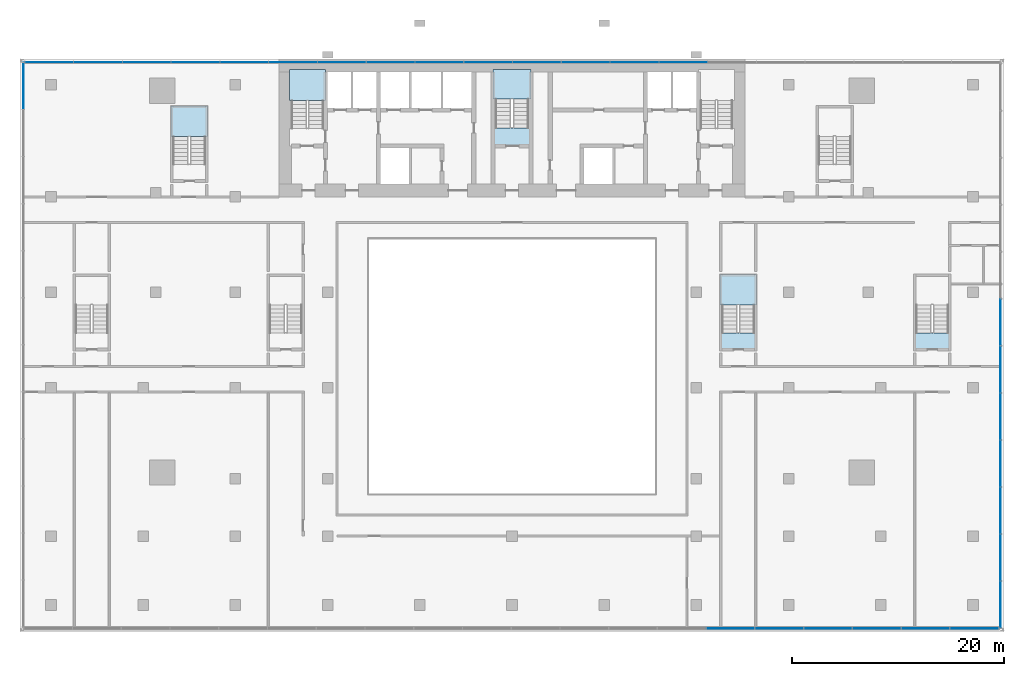
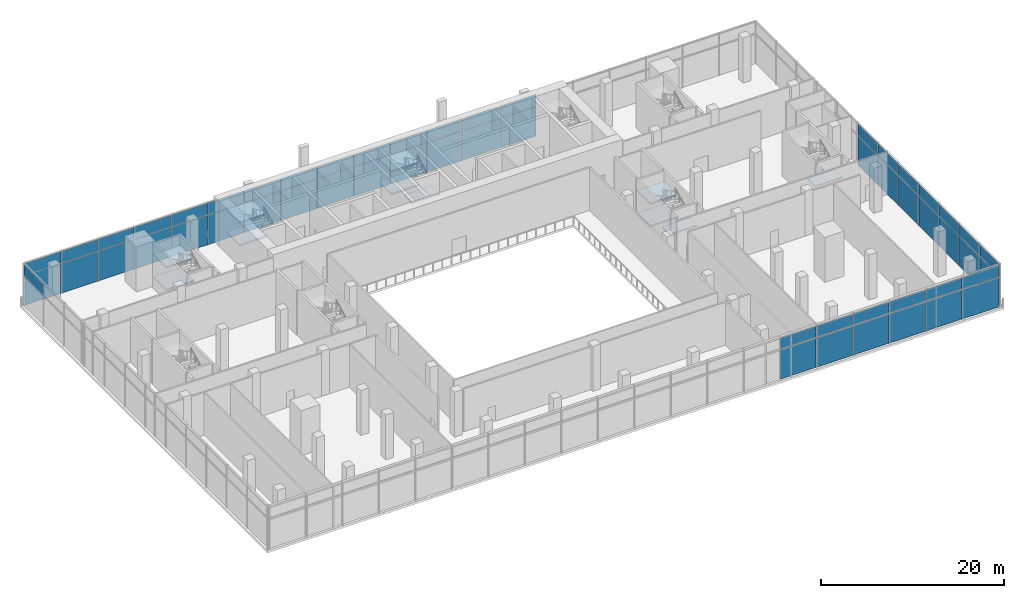
# One storey, part 10 of 22: 55 plates, 11 slabs, 9 elements without a shape of their own.
"""IFC4 building model written with IfcOpenShell, lengths in metres."""

from ifc_helpers import new_model, si_unit, direction, frame, origin, origin_2d, place, context, subcontext, project, spatial, polyline, rectangle, outline, extrude, material, layer, layer_set, type_object, element, aggregate, save


model = new_model("IFC4")

# Units and contexts
model_context = context("Model", 3, precision=1e-05, world=origin(), true_north=direction((0.0, 1.0)))
body_context = subcontext(model_context, "Body", "Model", "MODEL_VIEW")
ifc_project = project(units=[si_unit("LENGTHUNIT", "METRE"), si_unit("AREAUNIT", "SQUARE_METRE"), si_unit("VOLUMEUNIT", "CUBIC_METRE"), si_unit("PLANEANGLEUNIT", "RADIAN"), si_unit("MASSUNIT", "GRAM", prefix="KILO")], contexts=[model_context])

# Site, building, storey
site_placement = place(None, origin())
site = spatial("IfcSite", under=ifc_project, at=site_placement, CompositionType="ELEMENT")
building_placement = place(site_placement, origin())
building = spatial("IfcBuilding", under=site, at=building_placement, Name="Bicima Exchange Tower", CompositionType="ELEMENT")
storey_placement = place(building_placement, frame((0.0, 0.0, 14.0)))
storey = spatial("IfcBuildingStorey", under=building, at=storey_placement, Name="L02", CompositionType="ELEMENT", Elevation=14.0)

# Curtain wall, plates
ifc_material_1 = material(Name="Stainless steel", Category="steel")
curtain_wall_type_1 = type_object("IfcCurtainWallType", Name="Hall structural glazing", PredefinedType="NOTDEFINED", material=ifc_material_1)
curtain_wall_1_placement = place(storey_placement, origin())
curtain_wall_1 = element("IfcCurtainWall", 1, at=curtain_wall_1_placement, inside=storey, type_object=curtain_wall_type_1, Name="Podium glazing L02 south 1", PredefinedType="NOTDEFINED")
ifc_material_2 = material(Name="Clear low-iron glass", Category="glass")
ifc_layer_1 = layer(ifc_material_2, 0.0439453125)
ifc_layer_set_1 = layer_set([ifc_layer_1], Name="Clear low-iron glass")
plate_type_1 = type_object("IfcPlateType", Name="Hall structural glazing glass panel 44", PredefinedType="CURTAIN_PANEL", material=ifc_layer_set_1)
plate_1_placement = place(storey_placement, frame((20.6181640625, -53.699951171875, 0.0), z_axis=(0.0, 0.0, 1.0), x_axis=(1.0, 0.0, 0.0)))
plate_1 = element("IfcPlate", 2, at=plate_1_placement, type_object=plate_type_1, Name="Hall structural glazing panel 15.1", PredefinedType="CURTAIN_PANEL", context=body_context, shape_type="SweptSolid", body=[
    extrude(rectangle(XDim=4.5185546875, YDim=0.0439453125, at=origin_2d()), origin(), (0.0, 0.0, 1.0), 3.89990234375),
])
plate_2_placement = place(storey_placement, frame((20.6181640625, -53.699951171875, 4.0), z_axis=(0.0, 0.0, 1.0), x_axis=(1.0, 0.0, 0.0)))
plate_2 = element("IfcPlate", 3, at=plate_2_placement, type_object=plate_type_1, Name="Hall structural glazing panel 15.2", PredefinedType="CURTAIN_PANEL", context=body_context, shape_type="SweptSolid", body=[
    extrude(rectangle(XDim=4.5185546875, YDim=0.0439453125, at=origin_2d()), origin(), (0.0, 0.0, 1.0), 1.5),
])
plate_3_placement = place(storey_placement, frame((25.216796875, -53.699951171875, 0.0), z_axis=(0.0, 0.0, 1.0), x_axis=(1.0, 0.0, 0.0)))
plate_3 = element("IfcPlate", 4, at=plate_3_placement, type_object=plate_type_1, Name="Hall structural glazing panel 16.1", PredefinedType="CURTAIN_PANEL", context=body_context, shape_type="SweptSolid", body=[
    extrude(rectangle(XDim=4.5185546875, YDim=0.0439453125, at=origin_2d()), origin(), (0.0, 0.0, 1.0), 3.89990234375),
])
plate_4_placement = place(storey_placement, frame((25.216796875, -53.699951171875, 4.0), z_axis=(0.0, 0.0, 1.0), x_axis=(1.0, 0.0, 0.0)))
plate_4 = element("IfcPlate", 5, at=plate_4_placement, type_object=plate_type_1, Name="Hall structural glazing panel 16.2", PredefinedType="CURTAIN_PANEL", context=body_context, shape_type="SweptSolid", body=[
    extrude(rectangle(XDim=4.5185546875, YDim=0.0439453125, at=origin_2d()), origin(), (0.0, 0.0, 1.0), 1.5),
])
plate_5_placement = place(storey_placement, frame((29.815185546875, -53.699951171875, 0.0), z_axis=(0.0, 0.0, 1.0), x_axis=(1.0, 0.0, 0.0)))
plate_5 = element("IfcPlate", 6, at=plate_5_placement, type_object=plate_type_1, Name="Hall structural glazing panel 17.1", PredefinedType="CURTAIN_PANEL", context=body_context, shape_type="SweptSolid", body=[
    extrude(rectangle(XDim=4.5185546875, YDim=0.0439453125, at=origin_2d()), origin(), (0.0, 0.0, 1.0), 3.89990234375),
])
plate_6_placement = place(storey_placement, frame((29.815185546875, -53.699951171875, 4.0), z_axis=(0.0, 0.0, 1.0), x_axis=(1.0, 0.0, 0.0)))
plate_6 = element("IfcPlate", 7, at=plate_6_placement, type_object=plate_type_1, Name="Hall structural glazing panel 17.2", PredefinedType="CURTAIN_PANEL", context=body_context, shape_type="SweptSolid", body=[
    extrude(rectangle(XDim=4.5185546875, YDim=0.0439453125, at=origin_2d()), origin(), (0.0, 0.0, 1.0), 1.5),
])
plate_7_placement = place(storey_placement, frame((34.413818359375, -53.699951171875, 0.0), z_axis=(0.0, 0.0, 1.0), x_axis=(1.0, 0.0, 0.0)))
plate_7 = element("IfcPlate", 8, at=plate_7_placement, type_object=plate_type_1, Name="Hall structural glazing panel 18.1", PredefinedType="CURTAIN_PANEL", context=body_context, shape_type="SweptSolid", body=[
    extrude(rectangle(XDim=4.5185546875, YDim=0.0439453125, at=origin_2d()), origin(), (0.0, 0.0, 1.0), 3.89990234375),
])
plate_8_placement = place(storey_placement, frame((34.413818359375, -53.699951171875, 4.0), z_axis=(0.0, 0.0, 1.0), x_axis=(1.0, 0.0, 0.0)))
plate_8 = element("IfcPlate", 9, at=plate_8_placement, type_object=plate_type_1, Name="Hall structural glazing panel 18.2", PredefinedType="CURTAIN_PANEL", context=body_context, shape_type="SweptSolid", body=[
    extrude(rectangle(XDim=4.5185546875, YDim=0.0439453125, at=origin_2d()), origin(), (0.0, 0.0, 1.0), 1.5),
])
plate_9_placement = place(storey_placement, frame((39.01220703125, -53.699951171875, 0.0), z_axis=(0.0, 0.0, 1.0), x_axis=(1.0, 0.0, 0.0)))
plate_9 = element("IfcPlate", 10, at=plate_9_placement, type_object=plate_type_1, Name="Hall structural glazing panel 19.1", PredefinedType="CURTAIN_PANEL", context=body_context, shape_type="SweptSolid", body=[
    extrude(rectangle(XDim=4.5185546875, YDim=0.0439453125, at=origin_2d()), origin(), (0.0, 0.0, 1.0), 3.89990234375),
])
plate_10_placement = place(storey_placement, frame((39.01220703125, -53.699951171875, 4.0), z_axis=(0.0, 0.0, 1.0), x_axis=(1.0, 0.0, 0.0)))
plate_10 = element("IfcPlate", 11, at=plate_10_placement, type_object=plate_type_1, Name="Hall structural glazing panel 19.2", PredefinedType="CURTAIN_PANEL", context=body_context, shape_type="SweptSolid", body=[
    extrude(rectangle(XDim=4.5185546875, YDim=0.0439453125, at=origin_2d()), origin(), (0.0, 0.0, 1.0), 1.5),
])
plate_11_placement = place(storey_placement, frame((43.610595703125, -53.699951171875, 0.0), z_axis=(0.0, 0.0, 1.0), x_axis=(1.0, 0.0, 0.0)))
plate_11 = element("IfcPlate", 12, at=plate_11_placement, type_object=plate_type_1, Name="Hall structural glazing panel 20.1", PredefinedType="CURTAIN_PANEL", context=body_context, shape_type="SweptSolid", body=[
    extrude(rectangle(XDim=4.5185546875, YDim=0.0439453125, at=origin_2d()), origin(), (0.0, 0.0, 1.0), 3.89990234375),
])
plate_12_placement = place(storey_placement, frame((43.610595703125, -53.699951171875, 4.0), z_axis=(0.0, 0.0, 1.0), x_axis=(1.0, 0.0, 0.0)))
plate_12 = element("IfcPlate", 13, at=plate_12_placement, type_object=plate_type_1, Name="Hall structural glazing panel 20.2", PredefinedType="CURTAIN_PANEL", context=body_context, shape_type="SweptSolid", body=[
    extrude(rectangle(XDim=4.5185546875, YDim=0.0439453125, at=origin_2d()), origin(), (0.0, 0.0, 1.0), 1.5),
])
aggregate(curtain_wall_1, [plate_1, plate_2, plate_3, plate_4, plate_5, plate_6, plate_7, plate_8, plate_9, plate_10, plate_11, plate_12])

ifc_material_3 = material(Name="Anodised bronze aluminium", Category="aluminium")
curtain_wall_type_2 = type_object("IfcCurtainWallType", Name="Lobby glazing", PredefinedType="NOTDEFINED", material=ifc_material_3)
curtain_wall_2_placement = place(storey_placement, origin())
curtain_wall_2 = element("IfcCurtainWall", 14, at=curtain_wall_2_placement, inside=storey, type_object=curtain_wall_type_2, Name="Podium glazing L02 east 1", PredefinedType="NOTDEFINED")
ifc_layer_2 = layer(ifc_material_2, 0.035888671875)
ifc_layer_set_2 = layer_set([ifc_layer_2], Name="Clear low-iron glass")
plate_type_2 = type_object("IfcPlateType", Name="Lobby glazing glass panel 36", PredefinedType="CURTAIN_PANEL", material=ifc_layer_set_2)
plate_13_placement = place(storey_placement, frame((46.10009765625, -51.45166015625, 0.0), z_axis=(0.0, 0.0, 1.0), x_axis=(0.0, 1.0, 0.0)))
plate_13 = element("IfcPlate", 15, at=plate_13_placement, type_object=plate_type_2, Name="Lobby glazing panel 1.1", PredefinedType="CURTAIN_PANEL", context=body_context, shape_type="SweptSolid", body=[
    extrude(rectangle(XDim=4.376708984375, YDim=0.035888671875, at=origin_2d()), origin(), (0.0, 0.0, 1.0), 3.929931640625),
])
plate_14_placement = place(storey_placement, frame((46.10009765625, -51.45166015625, 4.0), z_axis=(0.0, 0.0, 1.0), x_axis=(0.0, 1.0, 0.0)))
plate_14 = element("IfcPlate", 16, at=plate_14_placement, type_object=plate_type_2, Name="Lobby glazing panel 1.2", PredefinedType="CURTAIN_PANEL", context=body_context, shape_type="SweptSolid", body=[
    extrude(rectangle(XDim=4.376708984375, YDim=0.035888671875, at=origin_2d()), origin(), (0.0, 0.0, 1.0), 1.56005859375),
])
plate_15_placement = place(storey_placement, frame((46.10009765625, -47.014892578125, 0.0), z_axis=(0.0, 0.0, 1.0), x_axis=(0.0, 1.0, 0.0)))
plate_15 = element("IfcPlate", 17, at=plate_15_placement, type_object=plate_type_2, Name="Lobby glazing panel 2.1", PredefinedType="CURTAIN_PANEL", context=body_context, shape_type="SweptSolid", body=[
    extrude(rectangle(XDim=4.376708984375, YDim=0.035888671875, at=origin_2d()), origin(), (0.0, 0.0, 1.0), 3.929931640625),
])
plate_16_placement = place(storey_placement, frame((46.10009765625, -47.014892578125, 4.0), z_axis=(0.0, 0.0, 1.0), x_axis=(0.0, 1.0, 0.0)))
plate_16 = element("IfcPlate", 18, at=plate_16_placement, type_object=plate_type_2, Name="Lobby glazing panel 2.2", PredefinedType="CURTAIN_PANEL", context=body_context, shape_type="SweptSolid", body=[
    extrude(rectangle(XDim=4.376708984375, YDim=0.035888671875, at=origin_2d()), origin(), (0.0, 0.0, 1.0), 1.56005859375),
])
plate_17_placement = place(storey_placement, frame((46.10009765625, -42.578369140625, 0.0), z_axis=(0.0, 0.0, 1.0), x_axis=(0.0, 1.0, 0.0)))
plate_17 = element("IfcPlate", 19, at=plate_17_placement, type_object=plate_type_2, Name="Lobby glazing panel 3.1", PredefinedType="CURTAIN_PANEL", context=body_context, shape_type="SweptSolid", body=[
    extrude(rectangle(XDim=4.376708984375, YDim=0.035888671875, at=origin_2d()), origin(), (0.0, 0.0, 1.0), 3.929931640625),
])
plate_18_placement = place(storey_placement, frame((46.10009765625, -42.578369140625, 4.0), z_axis=(0.0, 0.0, 1.0), x_axis=(0.0, 1.0, 0.0)))
plate_18 = element("IfcPlate", 20, at=plate_18_placement, type_object=plate_type_2, Name="Lobby glazing panel 3.2", PredefinedType="CURTAIN_PANEL", context=body_context, shape_type="SweptSolid", body=[
    extrude(rectangle(XDim=4.376708984375, YDim=0.035888671875, at=origin_2d()), origin(), (0.0, 0.0, 1.0), 1.56005859375),
])
plate_19_placement = place(storey_placement, frame((46.10009765625, -38.1416015625, 0.0), z_axis=(0.0, 0.0, 1.0), x_axis=(0.0, 1.0, 0.0)))
plate_19 = element("IfcPlate", 21, at=plate_19_placement, type_object=plate_type_2, Name="Lobby glazing panel 4.1", PredefinedType="CURTAIN_PANEL", context=body_context, shape_type="SweptSolid", body=[
    extrude(rectangle(XDim=4.376708984375, YDim=0.035888671875, at=origin_2d()), origin(), (0.0, 0.0, 1.0), 3.929931640625),
])
plate_20_placement = place(storey_placement, frame((46.10009765625, -38.1416015625, 4.0), z_axis=(0.0, 0.0, 1.0), x_axis=(0.0, 1.0, 0.0)))
plate_20 = element("IfcPlate", 22, at=plate_20_placement, type_object=plate_type_2, Name="Lobby glazing panel 4.2", PredefinedType="CURTAIN_PANEL", context=body_context, shape_type="SweptSolid", body=[
    extrude(rectangle(XDim=4.376708984375, YDim=0.035888671875, at=origin_2d()), origin(), (0.0, 0.0, 1.0), 1.56005859375),
])
plate_21_placement = place(storey_placement, frame((46.10009765625, -33.705078125, 0.0), z_axis=(0.0, 0.0, 1.0), x_axis=(0.0, 1.0, 0.0)))
plate_21 = element("IfcPlate", 23, at=plate_21_placement, type_object=plate_type_2, Name="Lobby glazing panel 5.1", PredefinedType="CURTAIN_PANEL", context=body_context, shape_type="SweptSolid", body=[
    extrude(rectangle(XDim=4.376708984375, YDim=0.035888671875, at=origin_2d()), origin(), (0.0, 0.0, 1.0), 3.929931640625),
])
plate_22_placement = place(storey_placement, frame((46.10009765625, -33.705078125, 4.0), z_axis=(0.0, 0.0, 1.0), x_axis=(0.0, 1.0, 0.0)))
plate_22 = element("IfcPlate", 24, at=plate_22_placement, type_object=plate_type_2, Name="Lobby glazing panel 5.2", PredefinedType="CURTAIN_PANEL", context=body_context, shape_type="SweptSolid", body=[
    extrude(rectangle(XDim=4.376708984375, YDim=0.035888671875, at=origin_2d()), origin(), (0.0, 0.0, 1.0), 1.56005859375),
])
plate_23_placement = place(storey_placement, frame((46.10009765625, -29.268310546875, 0.0), z_axis=(0.0, 0.0, 1.0), x_axis=(0.0, 1.0, 0.0)))
plate_23 = element("IfcPlate", 25, at=plate_23_placement, type_object=plate_type_2, Name="Lobby glazing panel 6.1", PredefinedType="CURTAIN_PANEL", context=body_context, shape_type="SweptSolid", body=[
    extrude(rectangle(XDim=4.376708984375, YDim=0.035888671875, at=origin_2d()), origin(), (0.0, 0.0, 1.0), 3.929931640625),
])
plate_24_placement = place(storey_placement, frame((46.10009765625, -29.268310546875, 4.0), z_axis=(0.0, 0.0, 1.0), x_axis=(0.0, 1.0, 0.0)))
plate_24 = element("IfcPlate", 26, at=plate_24_placement, type_object=plate_type_2, Name="Lobby glazing panel 6.2", PredefinedType="CURTAIN_PANEL", context=body_context, shape_type="SweptSolid", body=[
    extrude(rectangle(XDim=4.376708984375, YDim=0.035888671875, at=origin_2d()), origin(), (0.0, 0.0, 1.0), 1.56005859375),
])
plate_25_placement = place(storey_placement, frame((46.10009765625, -24.831787109375, 0.0), z_axis=(0.0, 0.0, 1.0), x_axis=(0.0, 1.0, 0.0)))
plate_25 = element("IfcPlate", 27, at=plate_25_placement, type_object=plate_type_2, Name="Lobby glazing panel 7.1", PredefinedType="CURTAIN_PANEL", context=body_context, shape_type="SweptSolid", body=[
    extrude(rectangle(XDim=4.376708984375, YDim=0.035888671875, at=origin_2d()), origin(), (0.0, 0.0, 1.0), 3.929931640625),
])
plate_26_placement = place(storey_placement, frame((46.10009765625, -24.831787109375, 4.0), z_axis=(0.0, 0.0, 1.0), x_axis=(0.0, 1.0, 0.0)))
plate_26 = element("IfcPlate", 28, at=plate_26_placement, type_object=plate_type_2, Name="Lobby glazing panel 7.2", PredefinedType="CURTAIN_PANEL", context=body_context, shape_type="SweptSolid", body=[
    extrude(rectangle(XDim=4.376708984375, YDim=0.035888671875, at=origin_2d()), origin(), (0.0, 0.0, 1.0), 1.56005859375),
])
aggregate(curtain_wall_2, [plate_13, plate_14, plate_15, plate_16, plate_17, plate_18, plate_19, plate_20, plate_21, plate_22, plate_23, plate_24, plate_25, plate_26])

curtain_wall_3_placement = place(storey_placement, origin())
curtain_wall_3 = element("IfcCurtainWall", 29, at=curtain_wall_3_placement, inside=storey, type_object=curtain_wall_type_2, Name="Podium glazing L02 north 1", PredefinedType="NOTDEFINED")
plate_27_placement = place(storey_placement, frame((16.156982421875, -0.300048828125, 0.0), z_axis=(0.0, 0.0, 1.0), x_axis=(-1.0, 0.0, 0.0)))
plate_27 = element("IfcPlate", 30, at=plate_27_placement, type_object=plate_type_2, Name="Lobby glazing panel 7.1", PredefinedType="CURTAIN_PANEL", context=body_context, shape_type="SweptSolid", body=[
    extrude(rectangle(XDim=4.5419921875, YDim=0.035888671875, at=origin_2d()), origin(), (0.0, 0.0, 1.0), 3.929931640625),
])
plate_28_placement = place(storey_placement, frame((16.156982421875, -0.300048828125, 4.0), z_axis=(0.0, 0.0, 1.0), x_axis=(-1.0, 0.0, 0.0)))
plate_28 = element("IfcPlate", 31, at=plate_28_placement, type_object=plate_type_2, Name="Lobby glazing panel 7.2", PredefinedType="CURTAIN_PANEL", context=body_context, shape_type="SweptSolid", body=[
    extrude(rectangle(XDim=4.5419921875, YDim=0.035888671875, at=origin_2d()), origin(), (0.0, 0.0, 1.0), 1.56005859375),
])
plate_29_placement = place(storey_placement, frame((11.554931640625, -0.300048828125, 0.0), z_axis=(0.0, 0.0, 1.0), x_axis=(-1.0, 0.0, 0.0)))
plate_29 = element("IfcPlate", 32, at=plate_29_placement, type_object=plate_type_2, Name="Lobby glazing panel 8.1", PredefinedType="CURTAIN_PANEL", context=body_context, shape_type="SweptSolid", body=[
    extrude(rectangle(XDim=4.5419921875, YDim=0.035888671875, at=origin_2d()), origin(), (0.0, 0.0, 1.0), 3.929931640625),
])
plate_30_placement = place(storey_placement, frame((11.554931640625, -0.300048828125, 4.0), z_axis=(0.0, 0.0, 1.0), x_axis=(-1.0, 0.0, 0.0)))
plate_30 = element("IfcPlate", 33, at=plate_30_placement, type_object=plate_type_2, Name="Lobby glazing panel 8.2", PredefinedType="CURTAIN_PANEL", context=body_context, shape_type="SweptSolid", body=[
    extrude(rectangle(XDim=4.5419921875, YDim=0.035888671875, at=origin_2d()), origin(), (0.0, 0.0, 1.0), 1.56005859375),
])
plate_31_placement = place(storey_placement, frame((6.952880859375, -0.300048828125, 0.0), z_axis=(0.0, 0.0, 1.0), x_axis=(-1.0, 0.0, 0.0)))
plate_31 = element("IfcPlate", 34, at=plate_31_placement, type_object=plate_type_2, Name="Lobby glazing panel 9.1", PredefinedType="CURTAIN_PANEL", context=body_context, shape_type="SweptSolid", body=[
    extrude(rectangle(XDim=4.5419921875, YDim=0.035888671875, at=origin_2d()), origin(), (0.0, 0.0, 1.0), 3.929931640625),
])
plate_32_placement = place(storey_placement, frame((6.952880859375, -0.300048828125, 4.0), z_axis=(0.0, 0.0, 1.0), x_axis=(-1.0, 0.0, 0.0)))
plate_32 = element("IfcPlate", 35, at=plate_32_placement, type_object=plate_type_2, Name="Lobby glazing panel 9.2", PredefinedType="CURTAIN_PANEL", context=body_context, shape_type="SweptSolid", body=[
    extrude(rectangle(XDim=4.5419921875, YDim=0.035888671875, at=origin_2d()), origin(), (0.0, 0.0, 1.0), 1.56005859375),
])
plate_33_placement = place(storey_placement, frame((2.35107421875, -0.300048828125, 0.0), z_axis=(0.0, 0.0, 1.0), x_axis=(-1.0, 0.0, 0.0)))
plate_33 = element("IfcPlate", 36, at=plate_33_placement, type_object=plate_type_2, Name="Lobby glazing panel 10.1", PredefinedType="CURTAIN_PANEL", context=body_context, shape_type="SweptSolid", body=[
    extrude(rectangle(XDim=4.5419921875, YDim=0.035888671875, at=origin_2d()), origin(), (0.0, 0.0, 1.0), 3.929931640625),
])
plate_34_placement = place(storey_placement, frame((2.35107421875, -0.300048828125, 4.0), z_axis=(0.0, 0.0, 1.0), x_axis=(-1.0, 0.0, 0.0)))
plate_34 = element("IfcPlate", 37, at=plate_34_placement, type_object=plate_type_2, Name="Lobby glazing panel 10.2", PredefinedType="CURTAIN_PANEL", context=body_context, shape_type="SweptSolid", body=[
    extrude(rectangle(XDim=4.5419921875, YDim=0.035888671875, at=origin_2d()), origin(), (0.0, 0.0, 1.0), 1.56005859375),
])
plate_35_placement = place(storey_placement, frame((-2.2509765625, -0.300048828125, 0.0), z_axis=(0.0, 0.0, 1.0), x_axis=(-1.0, 0.0, 0.0)))
plate_35 = element("IfcPlate", 38, at=plate_35_placement, type_object=plate_type_2, Name="Lobby glazing panel 11.1", PredefinedType="CURTAIN_PANEL", context=body_context, shape_type="SweptSolid", body=[
    extrude(rectangle(XDim=4.5419921875, YDim=0.035888671875, at=origin_2d()), origin(), (0.0, 0.0, 1.0), 3.929931640625),
])
plate_36_placement = place(storey_placement, frame((-2.2509765625, -0.300048828125, 4.0), z_axis=(0.0, 0.0, 1.0), x_axis=(-1.0, 0.0, 0.0)))
plate_36 = element("IfcPlate", 39, at=plate_36_placement, type_object=plate_type_2, Name="Lobby glazing panel 11.2", PredefinedType="CURTAIN_PANEL", context=body_context, shape_type="SweptSolid", body=[
    extrude(rectangle(XDim=4.5419921875, YDim=0.035888671875, at=origin_2d()), origin(), (0.0, 0.0, 1.0), 1.56005859375),
])
plate_37_placement = place(storey_placement, frame((-6.85302734375, -0.300048828125, 0.0), z_axis=(0.0, 0.0, 1.0), x_axis=(-1.0, 0.0, 0.0)))
plate_37 = element("IfcPlate", 40, at=plate_37_placement, type_object=plate_type_2, Name="Lobby glazing panel 12.1", PredefinedType="CURTAIN_PANEL", context=body_context, shape_type="SweptSolid", body=[
    extrude(rectangle(XDim=4.5419921875, YDim=0.035888671875, at=origin_2d()), origin(), (0.0, 0.0, 1.0), 3.929931640625),
])
plate_38_placement = place(storey_placement, frame((-6.85302734375, -0.300048828125, 4.0), z_axis=(0.0, 0.0, 1.0), x_axis=(-1.0, 0.0, 0.0)))
plate_38 = element("IfcPlate", 41, at=plate_38_placement, type_object=plate_type_2, Name="Lobby glazing panel 12.2", PredefinedType="CURTAIN_PANEL", context=body_context, shape_type="SweptSolid", body=[
    extrude(rectangle(XDim=4.5419921875, YDim=0.035888671875, at=origin_2d()), origin(), (0.0, 0.0, 1.0), 1.56005859375),
])
plate_39_placement = place(storey_placement, frame((-11.455078125, -0.300048828125, 0.0), z_axis=(0.0, 0.0, 1.0), x_axis=(-1.0, 0.0, 0.0)))
plate_39 = element("IfcPlate", 42, at=plate_39_placement, type_object=plate_type_2, Name="Lobby glazing panel 13.1", PredefinedType="CURTAIN_PANEL", context=body_context, shape_type="SweptSolid", body=[
    extrude(rectangle(XDim=4.5419921875, YDim=0.035888671875, at=origin_2d()), origin(), (0.0, 0.0, 1.0), 3.929931640625),
])
plate_40_placement = place(storey_placement, frame((-11.455078125, -0.300048828125, 4.0), z_axis=(0.0, 0.0, 1.0), x_axis=(-1.0, 0.0, 0.0)))
plate_40 = element("IfcPlate", 43, at=plate_40_placement, type_object=plate_type_2, Name="Lobby glazing panel 13.2", PredefinedType="CURTAIN_PANEL", context=body_context, shape_type="SweptSolid", body=[
    extrude(rectangle(XDim=4.5419921875, YDim=0.035888671875, at=origin_2d()), origin(), (0.0, 0.0, 1.0), 1.56005859375),
])
plate_41_placement = place(storey_placement, frame((-16.056884765625, -0.300048828125, 0.0), z_axis=(0.0, 0.0, 1.0), x_axis=(-1.0, 0.0, 0.0)))
plate_41 = element("IfcPlate", 44, at=plate_41_placement, type_object=plate_type_2, Name="Lobby glazing panel 14.1", PredefinedType="CURTAIN_PANEL", context=body_context, shape_type="SweptSolid", body=[
    extrude(rectangle(XDim=4.5419921875, YDim=0.035888671875, at=origin_2d()), origin(), (0.0, 0.0, 1.0), 3.929931640625),
])
plate_42_placement = place(storey_placement, frame((-16.056884765625, -0.300048828125, 4.0), z_axis=(0.0, 0.0, 1.0), x_axis=(-1.0, 0.0, 0.0)))
plate_42 = element("IfcPlate", 45, at=plate_42_placement, type_object=plate_type_2, Name="Lobby glazing panel 14.2", PredefinedType="CURTAIN_PANEL", context=body_context, shape_type="SweptSolid", body=[
    extrude(rectangle(XDim=4.5419921875, YDim=0.035888671875, at=origin_2d()), origin(), (0.0, 0.0, 1.0), 1.56005859375),
])
plate_43_placement = place(storey_placement, frame((-20.658935546875, -0.300048828125, 0.0), z_axis=(0.0, 0.0, 1.0), x_axis=(-1.0, 0.0, 0.0)))
plate_43 = element("IfcPlate", 46, at=plate_43_placement, type_object=plate_type_2, Name="Lobby glazing panel 15.1", PredefinedType="CURTAIN_PANEL", context=body_context, shape_type="SweptSolid", body=[
    extrude(rectangle(XDim=4.5419921875, YDim=0.035888671875, at=origin_2d()), origin(), (0.0, 0.0, 1.0), 3.929931640625),
])
plate_44_placement = place(storey_placement, frame((-20.658935546875, -0.300048828125, 4.0), z_axis=(0.0, 0.0, 1.0), x_axis=(-1.0, 0.0, 0.0)))
plate_44 = element("IfcPlate", 47, at=plate_44_placement, type_object=plate_type_2, Name="Lobby glazing panel 15.2", PredefinedType="CURTAIN_PANEL", context=body_context, shape_type="SweptSolid", body=[
    extrude(rectangle(XDim=4.5419921875, YDim=0.035888671875, at=origin_2d()), origin(), (0.0, 0.0, 1.0), 1.56005859375),
])
plate_45_placement = place(storey_placement, frame((-25.260986328125, -0.300048828125, 0.0), z_axis=(0.0, 0.0, 1.0), x_axis=(-1.0, 0.0, 0.0)))
plate_45 = element("IfcPlate", 48, at=plate_45_placement, type_object=plate_type_2, Name="Lobby glazing panel 16.1", PredefinedType="CURTAIN_PANEL", context=body_context, shape_type="SweptSolid", body=[
    extrude(rectangle(XDim=4.5419921875, YDim=0.035888671875, at=origin_2d()), origin(), (0.0, 0.0, 1.0), 3.929931640625),
])
plate_46_placement = place(storey_placement, frame((-25.260986328125, -0.300048828125, 4.0), z_axis=(0.0, 0.0, 1.0), x_axis=(-1.0, 0.0, 0.0)))
plate_46 = element("IfcPlate", 49, at=plate_46_placement, type_object=plate_type_2, Name="Lobby glazing panel 16.2", PredefinedType="CURTAIN_PANEL", context=body_context, shape_type="SweptSolid", body=[
    extrude(rectangle(XDim=4.5419921875, YDim=0.035888671875, at=origin_2d()), origin(), (0.0, 0.0, 1.0), 1.56005859375),
])
plate_47_placement = place(storey_placement, frame((-29.863037109375, -0.300048828125, 0.0), z_axis=(0.0, 0.0, 1.0), x_axis=(-1.0, 0.0, 0.0)))
plate_47 = element("IfcPlate", 50, at=plate_47_placement, type_object=plate_type_2, Name="Lobby glazing panel 17.1", PredefinedType="CURTAIN_PANEL", context=body_context, shape_type="SweptSolid", body=[
    extrude(rectangle(XDim=4.5419921875, YDim=0.035888671875, at=origin_2d()), origin(), (0.0, 0.0, 1.0), 3.929931640625),
])
plate_48_placement = place(storey_placement, frame((-29.863037109375, -0.300048828125, 4.0), z_axis=(0.0, 0.0, 1.0), x_axis=(-1.0, 0.0, 0.0)))
plate_48 = element("IfcPlate", 51, at=plate_48_placement, type_object=plate_type_2, Name="Lobby glazing panel 17.2", PredefinedType="CURTAIN_PANEL", context=body_context, shape_type="SweptSolid", body=[
    extrude(rectangle(XDim=4.5419921875, YDim=0.035888671875, at=origin_2d()), origin(), (0.0, 0.0, 1.0), 1.56005859375),
])
plate_49_placement = place(storey_placement, frame((-34.465087890625, -0.300048828125, 0.0), z_axis=(0.0, 0.0, 1.0), x_axis=(-1.0, 0.0, 0.0)))
plate_49 = element("IfcPlate", 52, at=plate_49_placement, type_object=plate_type_2, Name="Lobby glazing panel 18.1", PredefinedType="CURTAIN_PANEL", context=body_context, shape_type="SweptSolid", body=[
    extrude(rectangle(XDim=4.5419921875, YDim=0.035888671875, at=origin_2d()), origin(), (0.0, 0.0, 1.0), 3.929931640625),
])
plate_50_placement = place(storey_placement, frame((-34.465087890625, -0.300048828125, 4.0), z_axis=(0.0, 0.0, 1.0), x_axis=(-1.0, 0.0, 0.0)))
plate_50 = element("IfcPlate", 53, at=plate_50_placement, type_object=plate_type_2, Name="Lobby glazing panel 18.2", PredefinedType="CURTAIN_PANEL", context=body_context, shape_type="SweptSolid", body=[
    extrude(rectangle(XDim=4.5419921875, YDim=0.035888671875, at=origin_2d()), origin(), (0.0, 0.0, 1.0), 1.56005859375),
])
plate_51_placement = place(storey_placement, frame((-39.06689453125, -0.300048828125, 0.0), z_axis=(0.0, 0.0, 1.0), x_axis=(-1.0, 0.0, 0.0)))
plate_51 = element("IfcPlate", 54, at=plate_51_placement, type_object=plate_type_2, Name="Lobby glazing panel 19.1", PredefinedType="CURTAIN_PANEL", context=body_context, shape_type="SweptSolid", body=[
    extrude(rectangle(XDim=4.5419921875, YDim=0.035888671875, at=origin_2d()), origin(), (0.0, 0.0, 1.0), 3.929931640625),
])
plate_52_placement = place(storey_placement, frame((-39.06689453125, -0.300048828125, 4.0), z_axis=(0.0, 0.0, 1.0), x_axis=(-1.0, 0.0, 0.0)))
plate_52 = element("IfcPlate", 55, at=plate_52_placement, type_object=plate_type_2, Name="Lobby glazing panel 19.2", PredefinedType="CURTAIN_PANEL", context=body_context, shape_type="SweptSolid", body=[
    extrude(rectangle(XDim=4.5419921875, YDim=0.035888671875, at=origin_2d()), origin(), (0.0, 0.0, 1.0), 1.56005859375),
])
plate_53_placement = place(storey_placement, frame((-43.6689453125, -0.300048828125, 0.0), z_axis=(0.0, 0.0, 1.0), x_axis=(-1.0, 0.0, 0.0)))
plate_53 = element("IfcPlate", 56, at=plate_53_placement, type_object=plate_type_2, Name="Lobby glazing panel 20.1", PredefinedType="CURTAIN_PANEL", context=body_context, shape_type="SweptSolid", body=[
    extrude(rectangle(XDim=4.5419921875, YDim=0.035888671875, at=origin_2d()), origin(), (0.0, 0.0, 1.0), 3.929931640625),
])
plate_54_placement = place(storey_placement, frame((-43.6689453125, -0.300048828125, 4.0), z_axis=(0.0, 0.0, 1.0), x_axis=(-1.0, 0.0, 0.0)))
plate_54 = element("IfcPlate", 57, at=plate_54_placement, type_object=plate_type_2, Name="Lobby glazing panel 20.2", PredefinedType="CURTAIN_PANEL", context=body_context, shape_type="SweptSolid", body=[
    extrude(rectangle(XDim=4.5419921875, YDim=0.035888671875, at=origin_2d()), origin(), (0.0, 0.0, 1.0), 1.56005859375),
])
aggregate(curtain_wall_3, [plate_27, plate_28, plate_29, plate_30, plate_31, plate_32, plate_33, plate_34, plate_35, plate_36, plate_37, plate_38, plate_39, plate_40, plate_41, plate_42, plate_43, plate_44, plate_45, plate_46, plate_47, plate_48, plate_49, plate_50, plate_51, plate_52, plate_53, plate_54])

# Curtain wall, plate
curtain_wall_4_placement = place(storey_placement, origin())
curtain_wall_4 = element("IfcCurtainWall", 58, at=curtain_wall_4_placement, inside=storey, type_object=curtain_wall_type_2, Name="Podium glazing L02 west 1", PredefinedType="NOTDEFINED")
plate_55_placement = place(storey_placement, frame((-46.10009765625, -2.54833984375, 4.0), z_axis=(0.0, 0.0, 1.0), x_axis=(0.0, -1.0, 0.0)))
plate_55 = element("IfcPlate", 59, at=plate_55_placement, type_object=plate_type_2, Name="Lobby glazing panel 1.2", PredefinedType="CURTAIN_PANEL", context=body_context, shape_type="SweptSolid", body=[
    extrude(rectangle(XDim=4.376708984375, YDim=0.035888671875, at=origin_2d()), origin(), (0.0, 0.0, 1.0), 1.56005859375),
])
aggregate(curtain_wall_4, [plate_55])

# Stair, slabs
ifc_material_4 = material(Name="Concrete C50/60", Category="concrete")
stair_type_1 = type_object("IfcStairType", Name="Exit stair", PredefinedType="HALF_TURN_STAIR", material=ifc_material_4)
stair_1_placement = place(storey_placement, origin())
stair_1 = element("IfcStair", 60, at=stair_1_placement, inside=storey, type_object=stair_type_1, Name="L02 West exit stair", PredefinedType="HALF_TURN_STAIR")
ifc_layer_3 = layer(ifc_material_4, 0.199951171875)
ifc_layer_set_3 = layer_set([ifc_layer_3], Name="Concrete C50/60")
slab_type = type_object("IfcSlabType", Name="Stair landing slab", PredefinedType="LANDING", material=ifc_layer_set_3)
slab_1_placement = place(storey_placement, frame((0.0, 0.0, 1.300048828125)))
slab_1 = element("IfcSlab", 61, at=slab_1_placement, type_object=slab_type, Name="ST-W landing 1", PredefinedType="LANDING", context=body_context, shape_type="SweptSolid", body=[
    extrude(outline(polyline([(-17.60009765625, -3.919921875), (-17.60009765625, -1.0), (-21.0, -1.0), (-21.0, -3.919921875), (-17.60009765625, -3.919921875)])), origin(), (0.0, 0.0, 1.0), 0.199951171875),
])
slab_2_placement = place(storey_placement, frame((0.0, 0.0, 4.300048828125)))
slab_2 = element("IfcSlab", 62, at=slab_2_placement, type_object=slab_type, Name="ST-W landing 3", PredefinedType="LANDING", context=body_context, shape_type="SweptSolid", body=[
    extrude(outline(polyline([(-17.60009765625, -3.919921875), (-17.60009765625, -1.0), (-21.0, -1.0), (-21.0, -3.919921875), (-17.60009765625, -3.919921875)])), origin(), (0.0, 0.0, 1.0), 0.199951171875),
])
aggregate(stair_1, [slab_1, slab_2])

stair_type_2 = type_object("IfcStairType", Name="Exit stair 1500", PredefinedType="HALF_TURN_STAIR", material=ifc_material_4)
stair_2_placement = place(storey_placement, origin())
stair_2 = element("IfcStair", 63, at=stair_2_placement, inside=storey, type_object=stair_type_2, Name="L02 Central exit stair", PredefinedType="HALF_TURN_STAIR")
slab_3_placement = place(storey_placement, frame((0.0, 0.0, 1.300048828125)))
slab_3 = element("IfcSlab", 64, at=slab_3_placement, type_object=slab_type, Name="ST-C landing 1", PredefinedType="LANDING", context=body_context, shape_type="SweptSolid", body=[
    extrude(outline(polyline([(1.77490234375, -3.780029296875), (1.77490234375, -1.0), (-1.77490234375, -1.0), (-1.77490234375, -3.780029296875), (1.77490234375, -3.780029296875)])), origin(), (0.0, 0.0, 1.0), 0.199951171875),
])
slab_4_placement = place(storey_placement, frame((0.0, 0.0, 2.800048828125)))
slab_4 = element("IfcSlab", 65, at=slab_4_placement, type_object=slab_type, Name="ST-C landing 2", PredefinedType="LANDING", context=body_context, shape_type="SweptSolid", body=[
    extrude(outline(polyline([(1.77490234375, -8.199951171875), (1.77490234375, -6.5), (-1.77490234375, -6.5), (-1.77490234375, -8.199951171875), (1.77490234375, -8.199951171875)])), origin(), (0.0, 0.0, 1.0), 0.199951171875),
])
slab_5_placement = place(storey_placement, frame((0.0, 0.0, 4.300048828125)))
slab_5 = element("IfcSlab", 66, at=slab_5_placement, type_object=slab_type, Name="ST-C landing 3", PredefinedType="LANDING", context=body_context, shape_type="SweptSolid", body=[
    extrude(outline(polyline([(1.77490234375, -3.780029296875), (1.77490234375, -1.0), (-1.77490234375, -1.0), (-1.77490234375, -3.780029296875), (1.77490234375, -3.780029296875)])), origin(), (0.0, 0.0, 1.0), 0.199951171875),
])
aggregate(stair_2, [slab_3, slab_4, slab_5])

stair_3_placement = place(storey_placement, origin())
stair_3 = element("IfcStair", 67, at=stair_3_placement, inside=storey, type_object=stair_type_1, Name="L02 West end exit stair", PredefinedType="HALF_TURN_STAIR")
slab_6_placement = place(storey_placement, frame((0.0, 0.0, 1.300048828125)))
slab_6 = element("IfcSlab", 68, at=slab_6_placement, type_object=slab_type, Name="ST-WW landing 1", PredefinedType="LANDING", context=body_context, shape_type="SweptSolid", body=[
    extrude(outline(polyline([(-28.72509765625, -7.294921875), (-28.72509765625, -4.425048828125), (-32.175048828125, -4.425048828125), (-32.175048828125, -7.294921875), (-28.72509765625, -7.294921875)])), origin(), (0.0, 0.0, 1.0), 0.199951171875),
])
slab_7_placement = place(storey_placement, frame((0.0, 0.0, 4.300048828125)))
slab_7 = element("IfcSlab", 69, at=slab_7_placement, type_object=slab_type, Name="ST-WW landing 3", PredefinedType="LANDING", context=body_context, shape_type="SweptSolid", body=[
    extrude(outline(polyline([(-28.72509765625, -7.294921875), (-28.72509765625, -4.425048828125), (-32.175048828125, -4.425048828125), (-32.175048828125, -7.294921875), (-28.72509765625, -7.294921875)])), origin(), (0.0, 0.0, 1.0), 0.199951171875),
])
aggregate(stair_3, [slab_6, slab_7])

stair_4_placement = place(storey_placement, origin())
stair_4 = element("IfcStair", 70, at=stair_4_placement, inside=storey, type_object=stair_type_1, Name="L02 Podium inner east stair", PredefinedType="HALF_TURN_STAIR")
slab_8_placement = place(storey_placement, frame((0.0, 0.0, 1.300048828125)))
slab_8 = element("IfcSlab", 71, at=slab_8_placement, type_object=slab_type, Name="PS-EI landing 1", PredefinedType="LANDING", context=body_context, shape_type="SweptSolid", body=[
    extrude(outline(polyline([(23.074951171875, -23.195068359375), (23.074951171875, -20.324951171875), (19.625, -20.324951171875), (19.625, -23.195068359375), (23.074951171875, -23.195068359375)])), origin(), (0.0, 0.0, 1.0), 0.199951171875),
])
slab_9_placement = place(storey_placement, frame((0.0, 0.0, 2.800048828125)))
slab_9 = element("IfcSlab", 72, at=slab_9_placement, type_object=slab_type, Name="PS-EI landing 2", PredefinedType="LANDING", context=body_context, shape_type="SweptSolid", body=[
    extrude(outline(polyline([(23.074951171875, -27.47509765625), (23.074951171875, -25.824951171875), (19.625, -25.824951171875), (19.625, -27.47509765625), (23.074951171875, -27.47509765625)])), origin(), (0.0, 0.0, 1.0), 0.199951171875),
])
slab_10_placement = place(storey_placement, frame((0.0, 0.0, 4.300048828125)))
slab_10 = element("IfcSlab", 73, at=slab_10_placement, type_object=slab_type, Name="PS-EI landing 3", PredefinedType="LANDING", context=body_context, shape_type="SweptSolid", body=[
    extrude(outline(polyline([(23.074951171875, -23.195068359375), (23.074951171875, -20.324951171875), (19.625, -20.324951171875), (19.625, -23.195068359375), (23.074951171875, -23.195068359375)])), origin(), (0.0, 0.0, 1.0), 0.199951171875),
])
aggregate(stair_4, [slab_8, slab_9, slab_10])

# Stair, slab
stair_5_placement = place(storey_placement, origin())
stair_5 = element("IfcStair", 74, at=stair_5_placement, inside=storey, type_object=stair_type_1, Name="L02 Podium east stair", PredefinedType="HALF_TURN_STAIR")
slab_11_placement = place(storey_placement, frame((0.0, 0.0, 2.800048828125)))
slab_11 = element("IfcSlab", 75, at=slab_11_placement, type_object=slab_type, Name="PS-E landing 2", PredefinedType="LANDING", context=body_context, shape_type="SweptSolid", body=[
    extrude(outline(polyline([(41.375, -27.47509765625), (41.375, -25.824951171875), (37.925048828125, -25.824951171875), (37.925048828125, -27.47509765625), (41.375, -27.47509765625)])), origin(), (0.0, 0.0, 1.0), 0.199951171875),
])
aggregate(stair_5, [slab_11])

save(model, "model.ifc")
